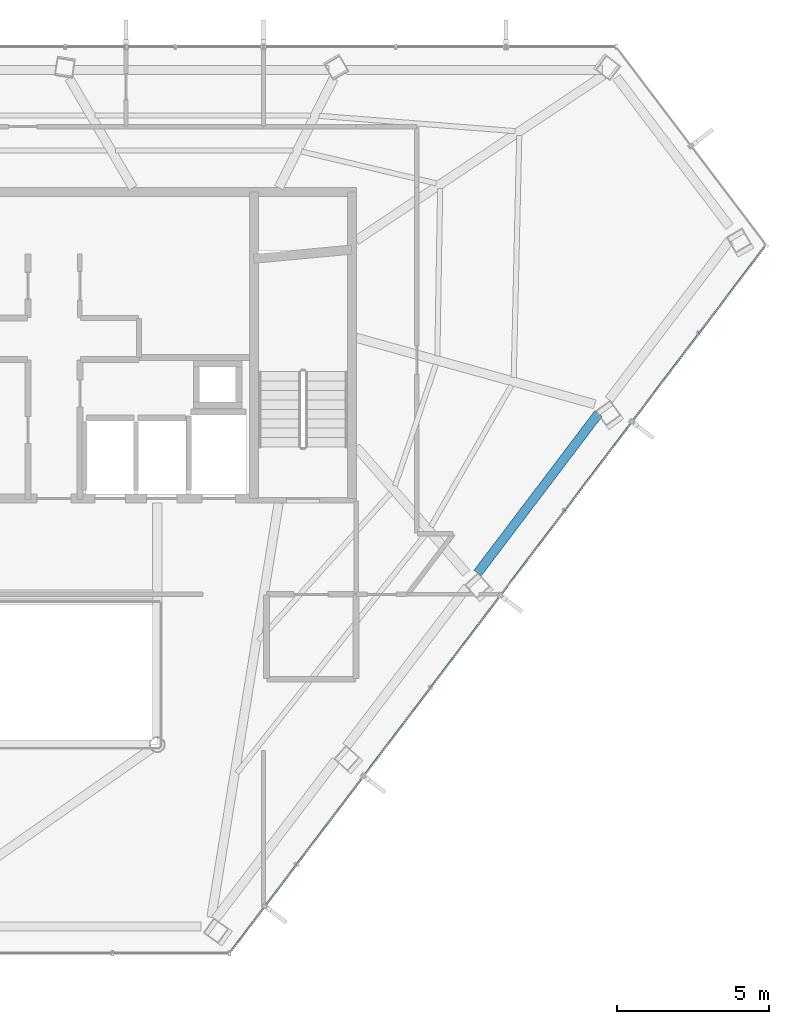
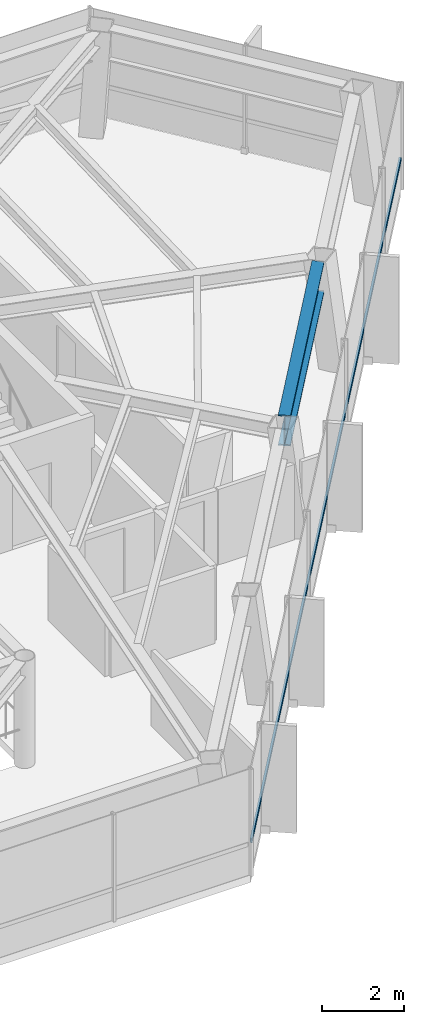
# One storey, part 18 of 27: 1 beam, 1 member, 1 element without a shape of its own.
"""IFC4 building model written with IfcOpenShell, lengths in metres."""

from ifc_helpers import new_model, si_unit, direction, frame, origin, origin_2d, place, context, subcontext, project, spatial, hollow_rectangle, i_section, extrude, material, layer, layer_set, material_profile, profile_set, type_object, element, aggregate, save


model = new_model("IFC4")

# Units and contexts
model_context = context("Model", 3, precision=1e-05, world=origin(), true_north=direction((0.0, 1.0)))
body_context = subcontext(model_context, "Body", "Model", "MODEL_VIEW")
ifc_project = project(units=[si_unit("LENGTHUNIT", "METRE"), si_unit("AREAUNIT", "SQUARE_METRE"), si_unit("VOLUMEUNIT", "CUBIC_METRE"), si_unit("PLANEANGLEUNIT", "RADIAN"), si_unit("MASSUNIT", "GRAM", prefix="KILO")], contexts=[model_context])

# Site, building, storey
site_placement = place(None, origin())
site = spatial("IfcSite", under=ifc_project, at=site_placement, CompositionType="ELEMENT")
building_placement = place(site_placement, origin())
building = spatial("IfcBuilding", under=site, at=building_placement, Name="Zarrinselat Tower", CompositionType="ELEMENT")
storey_placement = place(building_placement, frame((0.0, 0.0, 235.9599609375)))
storey = spatial("IfcBuildingStorey", under=building, at=storey_placement, Name="L59", CompositionType="ELEMENT", Elevation=235.9599609375)

# Beam
ifc_material_1 = material(Name="Steel S460M", Category="steel")
ifc_material_profile_1 = material_profile(ifc_material_1, i_section(OverallWidth=0.302001953125, OverallDepth=0.909912109375, WebThickness=0.02099609375, FlangeThickness=0.0400390625, at=origin_2d()), Name="HEM 900")
ifc_profile_set_1 = profile_set([ifc_material_profile_1], Name="Steel S460M")
beam_type = type_object("IfcBeamType", Name="BM-HEM900", PredefinedType="BEAM", material=ifc_profile_set_1)
beam_placement = place(storey_placement, frame((52.352294921875, 30.851318359375, 2.72509765625), z_axis=(0.603869116495, 0.797083490071, 0.0), x_axis=(-0.797083490071, 0.603869116495, 0.0)))
element("IfcBeam", 1, at=beam_placement, inside=storey, type_object=beam_type, Name="L59 Perimeter Spandrel Girder SP13", PredefinedType="BEAM", context=body_context, shape_type="SweptSolid", body=[
    extrude(i_section(OverallWidth=0.302001953125, OverallDepth=0.909912109375, WebThickness=0.02099609375, FlangeThickness=0.0400390625, at=origin_2d()), origin(), (0.0, 0.0, 1.0), 6.580810546875),
])

# Curtain wall, member
ifc_material_2 = material(Name="Extruded Aluminium Alloy EN AW-6063 T6", Category="aluminium")
ifc_layer = layer(ifc_material_2, 0.169921875)
ifc_layer_set = layer_set([ifc_layer], Name="Extruded Aluminium Alloy EN AW-6063 T6")
curtain_wall_type = type_object("IfcCurtainWallType", Name="CWS-RES", PredefinedType="NOTDEFINED", material=ifc_layer_set)
curtain_wall_placement = place(storey_placement, origin())
curtain_wall = element("IfcCurtainWall", 2, at=curtain_wall_placement, inside=storey, type_object=curtain_wall_type, Name="L59 Unitised Curtain Wall CW-L59-E05", PredefinedType="NOTDEFINED")
ifc_material_3 = material(Name="Extruded Aluminium Alloy EN AW-6063 T6", Category="aluminium")
ifc_material_profile_2 = material_profile(ifc_material_3, hollow_rectangle(XDim=0.06005859375, YDim=0.1201171875, WallThickness=0.00390625, at=origin_2d()), Name="RHS 120x60x4")
ifc_profile_set_2 = profile_set([ifc_material_profile_2], Name="Extruded Aluminium Alloy EN AW-6063 T6")
member_type = type_object("IfcMemberType", Name="MEM-CW-TRN2", PredefinedType="USERDEFINED", material=ifc_profile_set_2)
member_placement = place(storey_placement, frame((44.234375, 18.40576171875, 0.949951171875), z_axis=(0.603860920201, 0.797089699503, 0.0), x_axis=(-0.797089699503, 0.603860920201, 0.0)))
member = element("IfcMember", 3, at=member_placement, type_object=member_type, Name="CW-L59-E05 Transom 1", ObjectType="TRANSOM", PredefinedType="USERDEFINED", context=body_context, shape_type="SweptSolid", body=[
    extrude(hollow_rectangle(XDim=0.06005859375, YDim=0.1201171875, WallThickness=0.00390625, at=origin_2d()), origin(), (0.0, 0.0, 1.0), 29.085205078125),
])
aggregate(curtain_wall, [member])

save(model, "model.ifc")
